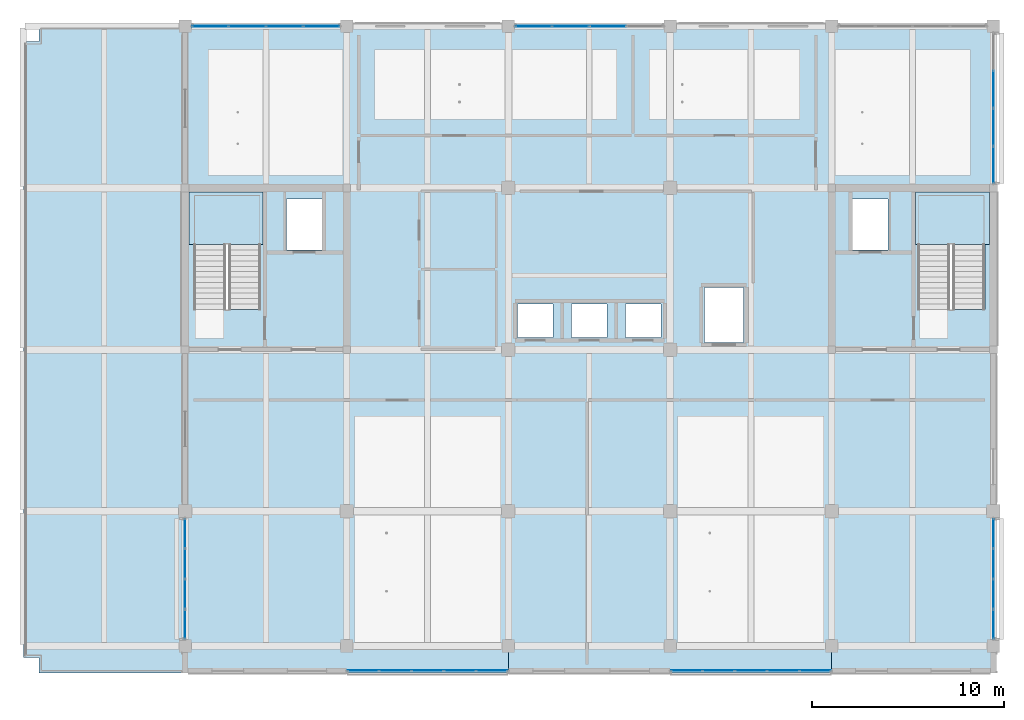
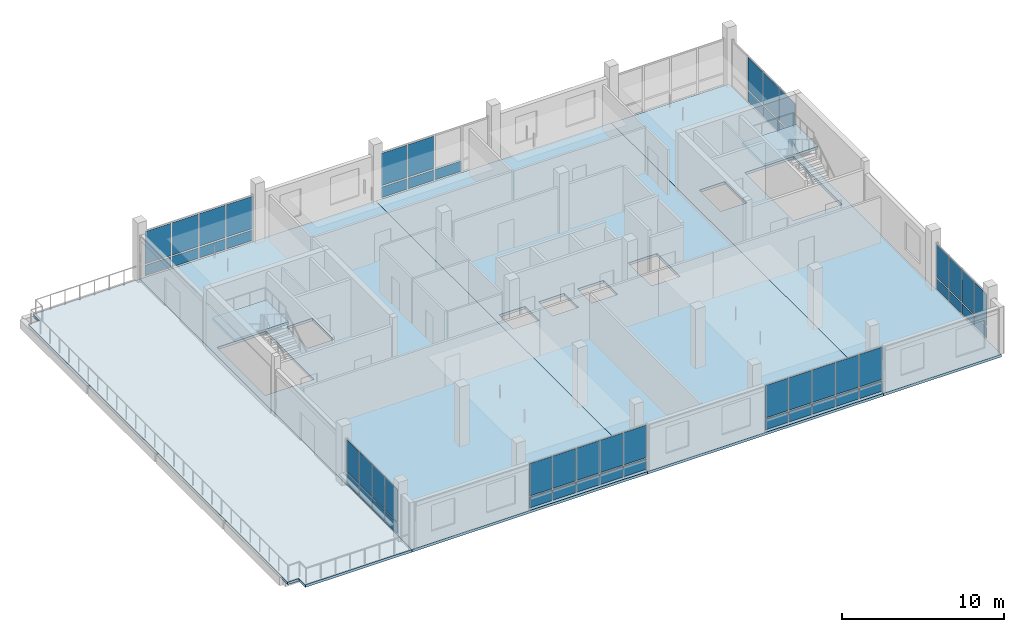
# One storey, part 8 of 28: 55 plates, 6 slabs, 9 elements without a shape of their own.
"""IFC4 building model written with IfcOpenShell, lengths in metres."""

from ifc_helpers import new_model, si_unit, direction, frame, origin, origin_2d, place, context, subcontext, project, spatial, polyline, rectangle, outline, extrude, material, layer, layer_set, type_object, element, aggregate, save


model = new_model("IFC4")

# Units and contexts
model_context = context("Model", 3, precision=1e-05, world=origin(), true_north=direction((0.0, 1.0)))
body_context = subcontext(model_context, "Body", "Model", "MODEL_VIEW")
ifc_project = project(units=[si_unit("LENGTHUNIT", "METRE"), si_unit("AREAUNIT", "SQUARE_METRE"), si_unit("VOLUMEUNIT", "CUBIC_METRE"), si_unit("PLANEANGLEUNIT", "RADIAN"), si_unit("MASSUNIT", "GRAM", prefix="KILO")], contexts=[model_context])

# Site, building, storey
site_placement = place(None, origin())
site = spatial("IfcSite", under=ifc_project, at=site_placement, CompositionType="ELEMENT")
building_placement = place(site_placement, origin())
building = spatial("IfcBuilding", under=site, at=building_placement, Name="Telukmera Botanical Conservatory", CompositionType="ELEMENT")
storey_placement = place(building_placement, frame((0.0, 0.0, 51.0)))
storey = spatial("IfcBuildingStorey", under=building, at=storey_placement, Name="L11", CompositionType="ELEMENT", Elevation=51.0)

# Stair, slab
ifc_material_1 = material(Name="Concrete C40/50", Category="concrete")
stair_type = type_object("IfcStairType", Name="ST-ESC-4500", PredefinedType="HALF_TURN_STAIR", material=ifc_material_1)
stair_1_placement = place(storey_placement, origin())
stair_1 = element("IfcStair", 1, at=stair_1_placement, inside=storey, type_object=stair_type, Name="L11 Protected Escape Stair ST1", PredefinedType="HALF_TURN_STAIR")
ifc_layer_1 = layer(ifc_material_1, 0.199951171875)
ifc_layer_set_1 = layer_set([ifc_layer_1], Name="Concrete C40/50")
slab_type_1 = type_object("IfcSlabType", Name="SL-LAND-200", PredefinedType="LANDING", material=ifc_layer_set_1)
slab_1_placement = place(storey_placement, frame((0.0, 0.0, 2.050048828125)))
slab_1 = element("IfcSlab", 2, at=slab_1_placement, type_object=slab_type_1, Name="ST1 landing 1", PredefinedType="LANDING", context=body_context, shape_type="SweptSolid", body=[
    extrude(outline(polyline([(59.0048828125, 31.449951171875), (62.844970703125, 31.449951171875), (62.844970703125, 34.195068359375), (59.0048828125, 34.195068359375), (59.0048828125, 31.449951171875)])), origin(), (0.0, 0.0, 1.0), 0.199951171875),
])
aggregate(stair_1, [slab_1])

stair_2_placement = place(storey_placement, origin())
stair_2 = element("IfcStair", 3, at=stair_2_placement, inside=storey, type_object=stair_type, Name="L11 Protected Escape Stair ST2", PredefinedType="HALF_TURN_STAIR")
slab_2_placement = place(storey_placement, frame((0.0, 0.0, 2.050048828125)))
slab_2 = element("IfcSlab", 4, at=slab_2_placement, type_object=slab_type_1, Name="ST2 landing 1", PredefinedType="LANDING", context=body_context, shape_type="SweptSolid", body=[
    extrude(outline(polyline([(96.7548828125, 31.449951171875), (100.594970703125, 31.449951171875), (100.594970703125, 34.195068359375), (96.7548828125, 34.195068359375), (96.7548828125, 31.449951171875)])), origin(), (0.0, 0.0, 1.0), 0.199951171875),
])
aggregate(stair_2, [slab_2])

# Slabs
ifc_layer_2 = layer(ifc_material_1, 0.199951171875)
ifc_layer_set_2 = layer_set([ifc_layer_2], Name="Concrete C40/50")
slab_type_2 = type_object("IfcSlabType", Name="Slab_FS20", PredefinedType="FLOOR", material=ifc_layer_set_2)
slab_3_placement = place(storey_placement, frame((0.0, 0.0, -0.199951171875)))
element("IfcSlab", 5, at=slab_3_placement, inside=storey, type_object=slab_type_2, Name="Tower Floor Slab L11 (WEST)", PredefinedType="FLOOR", context=body_context, shape_type="SweptSolid", body=[
    extrude(outline(polyline([(58.800048828125, 9.199951171875), (75.60009765625, 9.199951171875), (75.60009765625, 42.800048828125), (58.800048828125, 42.800048828125), (58.800048828125, 9.199951171875)]), holes=[polyline([(62.72998046875, 28.093017578125), (62.72998046875, 34.050048828125), (59.25, 34.050048828125), (59.25, 28.093017578125), (62.72998046875, 28.093017578125)]), polyline([(64.080078125, 31.179931640625), (65.919921875, 31.179931640625), (65.919921875, 33.820068359375), (64.080078125, 33.820068359375), (64.080078125, 31.179931640625)])]), origin(), (0.0, 0.0, 1.0), 0.199951171875),
])
slab_4_placement = place(storey_placement, frame((0.0, 0.0, -0.199951171875)))
element("IfcSlab", 6, at=slab_4_placement, inside=storey, type_object=slab_type_2, Name="Tower Floor Slab L11 (CENT)", PredefinedType="FLOOR", context=body_context, shape_type="SweptSolid", body=[
    extrude(outline(polyline([(75.60009765625, 9.199951171875), (92.39990234375, 9.199951171875), (92.39990234375, 42.800048828125), (75.60009765625, 42.800048828125), (75.60009765625, 9.199951171875)]), holes=[polyline([(85.780029296875, 26.3798828125), (87.820068359375, 26.3798828125), (87.820068359375, 29.219970703125), (85.780029296875, 29.219970703125), (85.780029296875, 26.3798828125)]), polyline([(76.080078125, 26.6298828125), (77.919921875, 26.6298828125), (77.919921875, 28.3701171875), (76.080078125, 28.3701171875), (76.080078125, 26.6298828125)]), polyline([(78.8798828125, 26.6298828125), (80.719970703125, 26.6298828125), (80.719970703125, 28.3701171875), (78.8798828125, 28.3701171875), (78.8798828125, 26.6298828125)]), polyline([(81.679931640625, 26.6298828125), (83.52001953125, 26.6298828125), (83.52001953125, 28.3701171875), (81.679931640625, 28.3701171875), (81.679931640625, 26.6298828125)])]), origin(), (0.0, 0.0, 1.0), 0.199951171875),
])
slab_5_placement = place(storey_placement, frame((0.0, 0.0, -0.199951171875)))
element("IfcSlab", 7, at=slab_5_placement, inside=storey, type_object=slab_type_2, Name="Tower Floor Slab L11 (EAST)", PredefinedType="FLOOR", context=body_context, shape_type="SweptSolid", body=[
    extrude(outline(polyline([(92.39990234375, 9.199951171875), (100.800048828125, 9.199951171875), (100.800048828125, 42.800048828125), (92.39990234375, 42.800048828125), (92.39990234375, 9.199951171875)]), holes=[polyline([(100.35009765625, 28.093017578125), (100.35009765625, 34.050048828125), (96.8701171875, 34.050048828125), (96.8701171875, 28.093017578125), (100.35009765625, 28.093017578125)]), polyline([(93.47998046875, 31.179931640625), (95.320068359375, 31.179931640625), (95.320068359375, 33.820068359375), (93.47998046875, 33.820068359375), (93.47998046875, 31.179931640625)])]), origin(), (0.0, 0.0, 1.0), 0.199951171875),
])
ifc_layer_3 = layer(ifc_material_1, 0.199951171875)
ifc_layer_set_3 = layer_set([ifc_layer_3], Name="Concrete C40/50")
slab_type_3 = type_object("IfcSlabType", Name="Slab_TS20", PredefinedType="FLOOR", material=ifc_layer_set_3)
slab_6_placement = place(storey_placement, frame((0.0, 0.0, -0.199951171875)))
element("IfcSlab", 8, at=slab_6_placement, inside=storey, type_object=slab_type_3, Name="Tower Botanical Sky Terrace Slab L11", PredefinedType="FLOOR", context=body_context, shape_type="SweptSolid", body=[
    extrude(outline(polyline([(51.199951171875, 9.199951171875), (58.800048828125, 9.199951171875), (58.800048828125, 42.800048828125), (51.199951171875, 42.800048828125), (51.199951171875, 42.0), (50.39990234375, 42.0), (50.39990234375, 10.0), (51.199951171875, 10.0), (51.199951171875, 9.199951171875)])), origin(), (0.0, 0.0, 1.0), 0.199951171875),
])

# Curtain wall, plates
ifc_material_2 = material(Name="Anodised aluminium 6063-T6", Category="aluminium")
ifc_layer_4 = layer(ifc_material_2, 0.179931640625)
ifc_layer_set_4 = layer_set([ifc_layer_4], Name="Anodised aluminium 6063-T6")
curtain_wall_type = type_object("IfcCurtainWallType", Name="Tower Research Laboratory Unitised Curtain Wall", PredefinedType="USERDEFINED", material=ifc_layer_set_4)
curtain_wall_1_placement = place(storey_placement, origin())
curtain_wall_1 = element("IfcCurtainWall", 9, at=curtain_wall_1_placement, inside=storey, type_object=curtain_wall_type, Name="Unitised Curtain Wall CW15 V4:L11:S2", ObjectType="UNITISED CURTAIN WALL", PredefinedType="USERDEFINED")
ifc_material_3 = material(Name="Spectrally selective low-E double glazing", Category="glass")
ifc_layer_5 = layer(ifc_material_3, 0.028076171875)
ifc_layer_set_5 = layer_set([ifc_layer_5], Name="Spectrally selective low-E double glazing")
plate_type = type_object("IfcPlateType", Name="Spectrally Selective Vision Double Glazing Panel 28", PredefinedType="CURTAIN_PANEL", material=ifc_layer_set_5)
plate_1_placement = place(storey_placement, frame((68.056640625, 9.320068359375, 0.10986328125), z_axis=(0.0, 0.0, 1.0), x_axis=(1.0, 0.0, 0.0)))
plate_1 = element("IfcPlate", 10, at=plate_1_placement, type_object=plate_type, Name="CW15 panel 1.1", PredefinedType="CURTAIN_PANEL", context=body_context, shape_type="SweptSolid", body=[
    extrude(rectangle(XDim=1.589111328125, YDim=0.028076171875, at=origin_2d()), origin(), (0.0, 0.0, 1.0), 0.784912109375),
])
plate_2_placement = place(storey_placement, frame((68.056640625, 9.320068359375, 1.0048828125), z_axis=(0.0, 0.0, 1.0), x_axis=(1.0, 0.0, 0.0)))
plate_2 = element("IfcPlate", 11, at=plate_2_placement, type_object=plate_type, Name="CW15 panel 1.2", PredefinedType="CURTAIN_PANEL", context=body_context, shape_type="SweptSolid", body=[
    extrude(rectangle(XDim=1.589111328125, YDim=0.028076171875, at=origin_2d()), origin(), (0.0, 0.0, 1.0), 2.43505859375),
])
plate_3_placement = place(storey_placement, frame((69.720703125, 9.320068359375, 0.10986328125), z_axis=(0.0, 0.0, 1.0), x_axis=(1.0, 0.0, 0.0)))
plate_3 = element("IfcPlate", 12, at=plate_3_placement, type_object=plate_type, Name="CW15 panel 2.1", PredefinedType="CURTAIN_PANEL", context=body_context, shape_type="SweptSolid", body=[
    extrude(rectangle(XDim=1.619140625, YDim=0.028076171875, at=origin_2d()), origin(), (0.0, 0.0, 1.0), 0.784912109375),
])
plate_4_placement = place(storey_placement, frame((69.720703125, 9.320068359375, 1.0048828125), z_axis=(0.0, 0.0, 1.0), x_axis=(1.0, 0.0, 0.0)))
plate_4 = element("IfcPlate", 13, at=plate_4_placement, type_object=plate_type, Name="CW15 panel 2.2", PredefinedType="CURTAIN_PANEL", context=body_context, shape_type="SweptSolid", body=[
    extrude(rectangle(XDim=1.619140625, YDim=0.028076171875, at=origin_2d()), origin(), (0.0, 0.0, 1.0), 2.43505859375),
])
plate_5_placement = place(storey_placement, frame((71.39990234375, 9.320068359375, 0.10986328125), z_axis=(0.0, 0.0, 1.0), x_axis=(1.0, 0.0, 0.0)))
plate_5 = element("IfcPlate", 14, at=plate_5_placement, type_object=plate_type, Name="CW15 panel 3.1", PredefinedType="CURTAIN_PANEL", context=body_context, shape_type="SweptSolid", body=[
    extrude(rectangle(XDim=1.619140625, YDim=0.028076171875, at=origin_2d()), origin(), (0.0, 0.0, 1.0), 0.784912109375),
])
plate_6_placement = place(storey_placement, frame((71.39990234375, 9.320068359375, 1.0048828125), z_axis=(0.0, 0.0, 1.0), x_axis=(1.0, 0.0, 0.0)))
plate_6 = element("IfcPlate", 15, at=plate_6_placement, type_object=plate_type, Name="CW15 panel 3.2", PredefinedType="CURTAIN_PANEL", context=body_context, shape_type="SweptSolid", body=[
    extrude(rectangle(XDim=1.619140625, YDim=0.028076171875, at=origin_2d()), origin(), (0.0, 0.0, 1.0), 2.43505859375),
])
plate_7_placement = place(storey_placement, frame((73.0791015625, 9.320068359375, 0.10986328125), z_axis=(0.0, 0.0, 1.0), x_axis=(1.0, 0.0, 0.0)))
plate_7 = element("IfcPlate", 16, at=plate_7_placement, type_object=plate_type, Name="CW15 panel 4.1", PredefinedType="CURTAIN_PANEL", context=body_context, shape_type="SweptSolid", body=[
    extrude(rectangle(XDim=1.619140625, YDim=0.028076171875, at=origin_2d()), origin(), (0.0, 0.0, 1.0), 0.784912109375),
])
plate_8_placement = place(storey_placement, frame((73.0791015625, 9.320068359375, 1.0048828125), z_axis=(0.0, 0.0, 1.0), x_axis=(1.0, 0.0, 0.0)))
plate_8 = element("IfcPlate", 17, at=plate_8_placement, type_object=plate_type, Name="CW15 panel 4.2", PredefinedType="CURTAIN_PANEL", context=body_context, shape_type="SweptSolid", body=[
    extrude(rectangle(XDim=1.619140625, YDim=0.028076171875, at=origin_2d()), origin(), (0.0, 0.0, 1.0), 2.43505859375),
])
plate_9_placement = place(storey_placement, frame((74.743408203125, 9.320068359375, 0.10986328125), z_axis=(0.0, 0.0, 1.0), x_axis=(1.0, 0.0, 0.0)))
plate_9 = element("IfcPlate", 18, at=plate_9_placement, type_object=plate_type, Name="CW15 panel 5.1", PredefinedType="CURTAIN_PANEL", context=body_context, shape_type="SweptSolid", body=[
    extrude(rectangle(XDim=1.589111328125, YDim=0.028076171875, at=origin_2d()), origin(), (0.0, 0.0, 1.0), 0.784912109375),
])
plate_10_placement = place(storey_placement, frame((74.743408203125, 9.320068359375, 1.0048828125), z_axis=(0.0, 0.0, 1.0), x_axis=(1.0, 0.0, 0.0)))
plate_10 = element("IfcPlate", 19, at=plate_10_placement, type_object=plate_type, Name="CW15 panel 5.2", PredefinedType="CURTAIN_PANEL", context=body_context, shape_type="SweptSolid", body=[
    extrude(rectangle(XDim=1.589111328125, YDim=0.028076171875, at=origin_2d()), origin(), (0.0, 0.0, 1.0), 2.43505859375),
])
aggregate(curtain_wall_1, [plate_1, plate_2, plate_3, plate_4, plate_5, plate_6, plate_7, plate_8, plate_9, plate_10])

curtain_wall_2_placement = place(storey_placement, origin())
curtain_wall_2 = element("IfcCurtainWall", 20, at=curtain_wall_2_placement, inside=storey, type_object=curtain_wall_type, Name="Unitised Curtain Wall CW15 V4:L11:S4", ObjectType="UNITISED CURTAIN WALL", PredefinedType="USERDEFINED")
plate_11_placement = place(storey_placement, frame((84.856689453125, 9.320068359375, 0.10986328125), z_axis=(0.0, 0.0, 1.0), x_axis=(1.0, 0.0, 0.0)))
plate_11 = element("IfcPlate", 21, at=plate_11_placement, type_object=plate_type, Name="CW15 panel 1.1", PredefinedType="CURTAIN_PANEL", context=body_context, shape_type="SweptSolid", body=[
    extrude(rectangle(XDim=1.589111328125, YDim=0.028076171875, at=origin_2d()), origin(), (0.0, 0.0, 1.0), 0.784912109375),
])
plate_12_placement = place(storey_placement, frame((84.856689453125, 9.320068359375, 1.0048828125), z_axis=(0.0, 0.0, 1.0), x_axis=(1.0, 0.0, 0.0)))
plate_12 = element("IfcPlate", 22, at=plate_12_placement, type_object=plate_type, Name="CW15 panel 1.2", PredefinedType="CURTAIN_PANEL", context=body_context, shape_type="SweptSolid", body=[
    extrude(rectangle(XDim=1.589111328125, YDim=0.028076171875, at=origin_2d()), origin(), (0.0, 0.0, 1.0), 2.43505859375),
])
plate_13_placement = place(storey_placement, frame((86.520751953125, 9.320068359375, 0.10986328125), z_axis=(0.0, 0.0, 1.0), x_axis=(1.0, 0.0, 0.0)))
plate_13 = element("IfcPlate", 23, at=plate_13_placement, type_object=plate_type, Name="CW15 panel 2.1", PredefinedType="CURTAIN_PANEL", context=body_context, shape_type="SweptSolid", body=[
    extrude(rectangle(XDim=1.619140625, YDim=0.028076171875, at=origin_2d()), origin(), (0.0, 0.0, 1.0), 0.784912109375),
])
plate_14_placement = place(storey_placement, frame((86.520751953125, 9.320068359375, 1.0048828125), z_axis=(0.0, 0.0, 1.0), x_axis=(1.0, 0.0, 0.0)))
plate_14 = element("IfcPlate", 24, at=plate_14_placement, type_object=plate_type, Name="CW15 panel 2.2", PredefinedType="CURTAIN_PANEL", context=body_context, shape_type="SweptSolid", body=[
    extrude(rectangle(XDim=1.619140625, YDim=0.028076171875, at=origin_2d()), origin(), (0.0, 0.0, 1.0), 2.43505859375),
])
plate_15_placement = place(storey_placement, frame((88.199951171875, 9.320068359375, 0.10986328125), z_axis=(0.0, 0.0, 1.0), x_axis=(1.0, 0.0, 0.0)))
plate_15 = element("IfcPlate", 25, at=plate_15_placement, type_object=plate_type, Name="CW15 panel 3.1", PredefinedType="CURTAIN_PANEL", context=body_context, shape_type="SweptSolid", body=[
    extrude(rectangle(XDim=1.619140625, YDim=0.028076171875, at=origin_2d()), origin(), (0.0, 0.0, 1.0), 0.784912109375),
])
plate_16_placement = place(storey_placement, frame((88.199951171875, 9.320068359375, 1.0048828125), z_axis=(0.0, 0.0, 1.0), x_axis=(1.0, 0.0, 0.0)))
plate_16 = element("IfcPlate", 26, at=plate_16_placement, type_object=plate_type, Name="CW15 panel 3.2", PredefinedType="CURTAIN_PANEL", context=body_context, shape_type="SweptSolid", body=[
    extrude(rectangle(XDim=1.619140625, YDim=0.028076171875, at=origin_2d()), origin(), (0.0, 0.0, 1.0), 2.43505859375),
])
plate_17_placement = place(storey_placement, frame((89.879150390625, 9.320068359375, 0.10986328125), z_axis=(0.0, 0.0, 1.0), x_axis=(1.0, 0.0, 0.0)))
plate_17 = element("IfcPlate", 27, at=plate_17_placement, type_object=plate_type, Name="CW15 panel 4.1", PredefinedType="CURTAIN_PANEL", context=body_context, shape_type="SweptSolid", body=[
    extrude(rectangle(XDim=1.619140625, YDim=0.028076171875, at=origin_2d()), origin(), (0.0, 0.0, 1.0), 0.784912109375),
])
plate_18_placement = place(storey_placement, frame((89.879150390625, 9.320068359375, 1.0048828125), z_axis=(0.0, 0.0, 1.0), x_axis=(1.0, 0.0, 0.0)))
plate_18 = element("IfcPlate", 28, at=plate_18_placement, type_object=plate_type, Name="CW15 panel 4.2", PredefinedType="CURTAIN_PANEL", context=body_context, shape_type="SweptSolid", body=[
    extrude(rectangle(XDim=1.619140625, YDim=0.028076171875, at=origin_2d()), origin(), (0.0, 0.0, 1.0), 2.43505859375),
])
plate_19_placement = place(storey_placement, frame((91.54345703125, 9.320068359375, 0.10986328125), z_axis=(0.0, 0.0, 1.0), x_axis=(1.0, 0.0, 0.0)))
plate_19 = element("IfcPlate", 29, at=plate_19_placement, type_object=plate_type, Name="CW15 panel 5.1", PredefinedType="CURTAIN_PANEL", context=body_context, shape_type="SweptSolid", body=[
    extrude(rectangle(XDim=1.589111328125, YDim=0.028076171875, at=origin_2d()), origin(), (0.0, 0.0, 1.0), 0.784912109375),
])
plate_20_placement = place(storey_placement, frame((91.54345703125, 9.320068359375, 1.0048828125), z_axis=(0.0, 0.0, 1.0), x_axis=(1.0, 0.0, 0.0)))
plate_20 = element("IfcPlate", 30, at=plate_20_placement, type_object=plate_type, Name="CW15 panel 5.2", PredefinedType="CURTAIN_PANEL", context=body_context, shape_type="SweptSolid", body=[
    extrude(rectangle(XDim=1.589111328125, YDim=0.028076171875, at=origin_2d()), origin(), (0.0, 0.0, 1.0), 2.43505859375),
])
aggregate(curtain_wall_2, [plate_11, plate_12, plate_13, plate_14, plate_15, plate_16, plate_17, plate_18, plate_19, plate_20])

curtain_wall_3_placement = place(storey_placement, origin())
curtain_wall_3 = element("IfcCurtainWall", 31, at=curtain_wall_3_placement, inside=storey, type_object=curtain_wall_type, Name="Unitised Curtain Wall CW15 V4:L11:N1", ObjectType="UNITISED CURTAIN WALL", PredefinedType="USERDEFINED")
plate_21_placement = place(storey_placement, frame((60.1103515625, 42.800048828125, 0.10986328125), z_axis=(0.0, 0.0, 1.0), x_axis=(1.0, 0.0, 0.0)))
plate_21 = element("IfcPlate", 32, at=plate_21_placement, type_object=plate_type, Name="CW15 panel 1.1", PredefinedType="CURTAIN_PANEL", context=body_context, shape_type="SweptSolid", body=[
    extrude(rectangle(XDim=1.846435546875, YDim=0.028076171875, at=origin_2d()), origin(), (0.0, 0.0, 1.0), 0.784912109375),
])
plate_22_placement = place(storey_placement, frame((60.1103515625, 42.800048828125, 1.0048828125), z_axis=(0.0, 0.0, 1.0), x_axis=(1.0, 0.0, 0.0)))
plate_22 = element("IfcPlate", 33, at=plate_22_placement, type_object=plate_type, Name="CW15 panel 1.2", PredefinedType="CURTAIN_PANEL", context=body_context, shape_type="SweptSolid", body=[
    extrude(rectangle(XDim=1.846435546875, YDim=0.028076171875, at=origin_2d()), origin(), (0.0, 0.0, 1.0), 2.43505859375),
])
plate_23_placement = place(storey_placement, frame((62.03173828125, 42.800048828125, 0.10986328125), z_axis=(0.0, 0.0, 1.0), x_axis=(1.0, 0.0, 0.0)))
plate_23 = element("IfcPlate", 34, at=plate_23_placement, type_object=plate_type, Name="CW15 panel 2.1", PredefinedType="CURTAIN_PANEL", context=body_context, shape_type="SweptSolid", body=[
    extrude(rectangle(XDim=1.87646484375, YDim=0.028076171875, at=origin_2d()), origin(), (0.0, 0.0, 1.0), 0.784912109375),
])
plate_24_placement = place(storey_placement, frame((62.03173828125, 42.800048828125, 1.0048828125), z_axis=(0.0, 0.0, 1.0), x_axis=(1.0, 0.0, 0.0)))
plate_24 = element("IfcPlate", 35, at=plate_24_placement, type_object=plate_type, Name="CW15 panel 2.2", PredefinedType="CURTAIN_PANEL", context=body_context, shape_type="SweptSolid", body=[
    extrude(rectangle(XDim=1.87646484375, YDim=0.028076171875, at=origin_2d()), origin(), (0.0, 0.0, 1.0), 2.43505859375),
])
plate_25_placement = place(storey_placement, frame((63.96826171875, 42.800048828125, 0.10986328125), z_axis=(0.0, 0.0, 1.0), x_axis=(1.0, 0.0, 0.0)))
plate_25 = element("IfcPlate", 36, at=plate_25_placement, type_object=plate_type, Name="CW15 panel 3.1", PredefinedType="CURTAIN_PANEL", context=body_context, shape_type="SweptSolid", body=[
    extrude(rectangle(XDim=1.87646484375, YDim=0.028076171875, at=origin_2d()), origin(), (0.0, 0.0, 1.0), 0.784912109375),
])
plate_26_placement = place(storey_placement, frame((63.96826171875, 42.800048828125, 1.0048828125), z_axis=(0.0, 0.0, 1.0), x_axis=(1.0, 0.0, 0.0)))
plate_26 = element("IfcPlate", 37, at=plate_26_placement, type_object=plate_type, Name="CW15 panel 3.2", PredefinedType="CURTAIN_PANEL", context=body_context, shape_type="SweptSolid", body=[
    extrude(rectangle(XDim=1.87646484375, YDim=0.028076171875, at=origin_2d()), origin(), (0.0, 0.0, 1.0), 2.43505859375),
])
plate_27_placement = place(storey_placement, frame((65.8896484375, 42.800048828125, 0.10986328125), z_axis=(0.0, 0.0, 1.0), x_axis=(1.0, 0.0, 0.0)))
plate_27 = element("IfcPlate", 38, at=plate_27_placement, type_object=plate_type, Name="CW15 panel 4.1", PredefinedType="CURTAIN_PANEL", context=body_context, shape_type="SweptSolid", body=[
    extrude(rectangle(XDim=1.846435546875, YDim=0.028076171875, at=origin_2d()), origin(), (0.0, 0.0, 1.0), 0.784912109375),
])
plate_28_placement = place(storey_placement, frame((65.8896484375, 42.800048828125, 1.0048828125), z_axis=(0.0, 0.0, 1.0), x_axis=(1.0, 0.0, 0.0)))
plate_28 = element("IfcPlate", 39, at=plate_28_placement, type_object=plate_type, Name="CW15 panel 4.2", PredefinedType="CURTAIN_PANEL", context=body_context, shape_type="SweptSolid", body=[
    extrude(rectangle(XDim=1.846435546875, YDim=0.028076171875, at=origin_2d()), origin(), (0.0, 0.0, 1.0), 2.43505859375),
])
aggregate(curtain_wall_3, [plate_21, plate_22, plate_23, plate_24, plate_25, plate_26, plate_27, plate_28])

curtain_wall_4_placement = place(storey_placement, origin())
curtain_wall_4 = element("IfcCurtainWall", 40, at=curtain_wall_4_placement, inside=storey, type_object=curtain_wall_type, Name="Unitised Curtain Wall CW15 V4:L11:N3", ObjectType="UNITISED CURTAIN WALL", PredefinedType="USERDEFINED")
plate_29_placement = place(storey_placement, frame((76.91015625, 42.800048828125, 0.10986328125), z_axis=(0.0, 0.0, 1.0), x_axis=(1.0, 0.0, 0.0)))
plate_29 = element("IfcPlate", 41, at=plate_29_placement, type_object=plate_type, Name="CW15 panel 1.1", PredefinedType="CURTAIN_PANEL", context=body_context, shape_type="SweptSolid", body=[
    extrude(rectangle(XDim=1.846435546875, YDim=0.028076171875, at=origin_2d()), origin(), (0.0, 0.0, 1.0), 0.784912109375),
])
plate_30_placement = place(storey_placement, frame((76.91015625, 42.800048828125, 1.0048828125), z_axis=(0.0, 0.0, 1.0), x_axis=(1.0, 0.0, 0.0)))
plate_30 = element("IfcPlate", 42, at=plate_30_placement, type_object=plate_type, Name="CW15 panel 1.2", PredefinedType="CURTAIN_PANEL", context=body_context, shape_type="SweptSolid", body=[
    extrude(rectangle(XDim=1.846435546875, YDim=0.028076171875, at=origin_2d()), origin(), (0.0, 0.0, 1.0), 2.43505859375),
])
plate_31_placement = place(storey_placement, frame((78.831787109375, 42.800048828125, 0.10986328125), z_axis=(0.0, 0.0, 1.0), x_axis=(1.0, 0.0, 0.0)))
plate_31 = element("IfcPlate", 43, at=plate_31_placement, type_object=plate_type, Name="CW15 panel 2.1", PredefinedType="CURTAIN_PANEL", context=body_context, shape_type="SweptSolid", body=[
    extrude(rectangle(XDim=1.87646484375, YDim=0.028076171875, at=origin_2d()), origin(), (0.0, 0.0, 1.0), 0.784912109375),
])
plate_32_placement = place(storey_placement, frame((78.831787109375, 42.800048828125, 1.0048828125), z_axis=(0.0, 0.0, 1.0), x_axis=(1.0, 0.0, 0.0)))
plate_32 = element("IfcPlate", 44, at=plate_32_placement, type_object=plate_type, Name="CW15 panel 2.2", PredefinedType="CURTAIN_PANEL", context=body_context, shape_type="SweptSolid", body=[
    extrude(rectangle(XDim=1.87646484375, YDim=0.028076171875, at=origin_2d()), origin(), (0.0, 0.0, 1.0), 2.43505859375),
])
plate_33_placement = place(storey_placement, frame((80.768310546875, 42.800048828125, 0.10986328125), z_axis=(0.0, 0.0, 1.0), x_axis=(1.0, 0.0, 0.0)))
plate_33 = element("IfcPlate", 45, at=plate_33_placement, type_object=plate_type, Name="CW15 panel 3.1", PredefinedType="CURTAIN_PANEL", context=body_context, shape_type="SweptSolid", body=[
    extrude(rectangle(XDim=1.87646484375, YDim=0.028076171875, at=origin_2d()), origin(), (0.0, 0.0, 1.0), 0.784912109375),
])
aggregate(curtain_wall_4, [plate_29, plate_30, plate_31, plate_32, plate_33])

curtain_wall_5_placement = place(storey_placement, origin())
curtain_wall_5 = element("IfcCurtainWall", 46, at=curtain_wall_5_placement, inside=storey, type_object=curtain_wall_type, Name="Unitised Curtain Wall CW15 V4:L11:W1", ObjectType="UNITISED CURTAIN WALL", PredefinedType="USERDEFINED")
plate_34_placement = place(storey_placement, frame((58.800048828125, 11.732177734375, 0.10986328125), z_axis=(0.0, 0.0, 1.0), x_axis=(0.0, 1.0, 0.0)))
plate_34 = element("IfcPlate", 47, at=plate_34_placement, type_object=plate_type, Name="CW15 panel 1.1", PredefinedType="CURTAIN_PANEL", context=body_context, shape_type="SweptSolid", body=[
    extrude(rectangle(XDim=1.490234375, YDim=0.028076171875, at=origin_2d()), origin(), (0.0, 0.0, 1.0), 0.784912109375),
])
plate_35_placement = place(storey_placement, frame((58.800048828125, 11.732177734375, 1.0048828125), z_axis=(0.0, 0.0, 1.0), x_axis=(0.0, 1.0, 0.0)))
plate_35 = element("IfcPlate", 48, at=plate_35_placement, type_object=plate_type, Name="CW15 panel 1.2", PredefinedType="CURTAIN_PANEL", context=body_context, shape_type="SweptSolid", body=[
    extrude(rectangle(XDim=1.490234375, YDim=0.028076171875, at=origin_2d()), origin(), (0.0, 0.0, 1.0), 2.43505859375),
])
plate_36_placement = place(storey_placement, frame((58.800048828125, 13.29736328125, 0.10986328125), z_axis=(0.0, 0.0, 1.0), x_axis=(0.0, 1.0, 0.0)))
plate_36 = element("IfcPlate", 49, at=plate_36_placement, type_object=plate_type, Name="CW15 panel 2.1", PredefinedType="CURTAIN_PANEL", context=body_context, shape_type="SweptSolid", body=[
    extrude(rectangle(XDim=1.520263671875, YDim=0.028076171875, at=origin_2d()), origin(), (0.0, 0.0, 1.0), 0.784912109375),
])
plate_37_placement = place(storey_placement, frame((58.800048828125, 13.29736328125, 1.0048828125), z_axis=(0.0, 0.0, 1.0), x_axis=(0.0, 1.0, 0.0)))
plate_37 = element("IfcPlate", 50, at=plate_37_placement, type_object=plate_type, Name="CW15 panel 2.2", PredefinedType="CURTAIN_PANEL", context=body_context, shape_type="SweptSolid", body=[
    extrude(rectangle(XDim=1.520263671875, YDim=0.028076171875, at=origin_2d()), origin(), (0.0, 0.0, 1.0), 2.43505859375),
])
plate_38_placement = place(storey_placement, frame((58.800048828125, 14.877685546875, 0.10986328125), z_axis=(0.0, 0.0, 1.0), x_axis=(0.0, 1.0, 0.0)))
plate_38 = element("IfcPlate", 51, at=plate_38_placement, type_object=plate_type, Name="CW15 panel 3.1", PredefinedType="CURTAIN_PANEL", context=body_context, shape_type="SweptSolid", body=[
    extrude(rectangle(XDim=1.520263671875, YDim=0.028076171875, at=origin_2d()), origin(), (0.0, 0.0, 1.0), 0.784912109375),
])
plate_39_placement = place(storey_placement, frame((58.800048828125, 14.877685546875, 1.0048828125), z_axis=(0.0, 0.0, 1.0), x_axis=(0.0, 1.0, 0.0)))
plate_39 = element("IfcPlate", 52, at=plate_39_placement, type_object=plate_type, Name="CW15 panel 3.2", PredefinedType="CURTAIN_PANEL", context=body_context, shape_type="SweptSolid", body=[
    extrude(rectangle(XDim=1.520263671875, YDim=0.028076171875, at=origin_2d()), origin(), (0.0, 0.0, 1.0), 2.43505859375),
])
plate_40_placement = place(storey_placement, frame((58.800048828125, 16.44287109375, 0.10986328125), z_axis=(0.0, 0.0, 1.0), x_axis=(0.0, 1.0, 0.0)))
plate_40 = element("IfcPlate", 53, at=plate_40_placement, type_object=plate_type, Name="CW15 panel 4.1", PredefinedType="CURTAIN_PANEL", context=body_context, shape_type="SweptSolid", body=[
    extrude(rectangle(XDim=1.490234375, YDim=0.028076171875, at=origin_2d()), origin(), (0.0, 0.0, 1.0), 0.784912109375),
])
plate_41_placement = place(storey_placement, frame((58.800048828125, 16.44287109375, 1.0048828125), z_axis=(0.0, 0.0, 1.0), x_axis=(0.0, 1.0, 0.0)))
plate_41 = element("IfcPlate", 54, at=plate_41_placement, type_object=plate_type, Name="CW15 panel 4.2", PredefinedType="CURTAIN_PANEL", context=body_context, shape_type="SweptSolid", body=[
    extrude(rectangle(XDim=1.490234375, YDim=0.028076171875, at=origin_2d()), origin(), (0.0, 0.0, 1.0), 2.43505859375),
])
aggregate(curtain_wall_5, [plate_34, plate_35, plate_36, plate_37, plate_38, plate_39, plate_40, plate_41])

curtain_wall_6_placement = place(storey_placement, origin())
curtain_wall_6 = element("IfcCurtainWall", 55, at=curtain_wall_6_placement, inside=storey, type_object=curtain_wall_type, Name="Unitised Curtain Wall CW15 V4:L11:E1", ObjectType="UNITISED CURTAIN WALL", PredefinedType="USERDEFINED")
plate_42_placement = place(storey_placement, frame((100.800048828125, 11.732177734375, 0.10986328125), z_axis=(0.0, 0.0, 1.0), x_axis=(0.0, 1.0, 0.0)))
plate_42 = element("IfcPlate", 56, at=plate_42_placement, type_object=plate_type, Name="CW15 panel 1.1", PredefinedType="CURTAIN_PANEL", context=body_context, shape_type="SweptSolid", body=[
    extrude(rectangle(XDim=1.490234375, YDim=0.028076171875, at=origin_2d()), origin(), (0.0, 0.0, 1.0), 0.784912109375),
])
plate_43_placement = place(storey_placement, frame((100.800048828125, 11.732177734375, 1.0048828125), z_axis=(0.0, 0.0, 1.0), x_axis=(0.0, 1.0, 0.0)))
plate_43 = element("IfcPlate", 57, at=plate_43_placement, type_object=plate_type, Name="CW15 panel 1.2", PredefinedType="CURTAIN_PANEL", context=body_context, shape_type="SweptSolid", body=[
    extrude(rectangle(XDim=1.490234375, YDim=0.028076171875, at=origin_2d()), origin(), (0.0, 0.0, 1.0), 2.43505859375),
])
plate_44_placement = place(storey_placement, frame((100.800048828125, 13.29736328125, 0.10986328125), z_axis=(0.0, 0.0, 1.0), x_axis=(0.0, 1.0, 0.0)))
plate_44 = element("IfcPlate", 58, at=plate_44_placement, type_object=plate_type, Name="CW15 panel 2.1", PredefinedType="CURTAIN_PANEL", context=body_context, shape_type="SweptSolid", body=[
    extrude(rectangle(XDim=1.520263671875, YDim=0.028076171875, at=origin_2d()), origin(), (0.0, 0.0, 1.0), 0.784912109375),
])
plate_45_placement = place(storey_placement, frame((100.800048828125, 13.29736328125, 1.0048828125), z_axis=(0.0, 0.0, 1.0), x_axis=(0.0, 1.0, 0.0)))
plate_45 = element("IfcPlate", 59, at=plate_45_placement, type_object=plate_type, Name="CW15 panel 2.2", PredefinedType="CURTAIN_PANEL", context=body_context, shape_type="SweptSolid", body=[
    extrude(rectangle(XDim=1.520263671875, YDim=0.028076171875, at=origin_2d()), origin(), (0.0, 0.0, 1.0), 2.43505859375),
])
plate_46_placement = place(storey_placement, frame((100.800048828125, 14.877685546875, 0.10986328125), z_axis=(0.0, 0.0, 1.0), x_axis=(0.0, 1.0, 0.0)))
plate_46 = element("IfcPlate", 60, at=plate_46_placement, type_object=plate_type, Name="CW15 panel 3.1", PredefinedType="CURTAIN_PANEL", context=body_context, shape_type="SweptSolid", body=[
    extrude(rectangle(XDim=1.520263671875, YDim=0.028076171875, at=origin_2d()), origin(), (0.0, 0.0, 1.0), 0.784912109375),
])
plate_47_placement = place(storey_placement, frame((100.800048828125, 14.877685546875, 1.0048828125), z_axis=(0.0, 0.0, 1.0), x_axis=(0.0, 1.0, 0.0)))
plate_47 = element("IfcPlate", 61, at=plate_47_placement, type_object=plate_type, Name="CW15 panel 3.2", PredefinedType="CURTAIN_PANEL", context=body_context, shape_type="SweptSolid", body=[
    extrude(rectangle(XDim=1.520263671875, YDim=0.028076171875, at=origin_2d()), origin(), (0.0, 0.0, 1.0), 2.43505859375),
])
plate_48_placement = place(storey_placement, frame((100.800048828125, 16.44287109375, 0.10986328125), z_axis=(0.0, 0.0, 1.0), x_axis=(0.0, 1.0, 0.0)))
plate_48 = element("IfcPlate", 62, at=plate_48_placement, type_object=plate_type, Name="CW15 panel 4.1", PredefinedType="CURTAIN_PANEL", context=body_context, shape_type="SweptSolid", body=[
    extrude(rectangle(XDim=1.490234375, YDim=0.028076171875, at=origin_2d()), origin(), (0.0, 0.0, 1.0), 0.784912109375),
])
plate_49_placement = place(storey_placement, frame((100.800048828125, 16.44287109375, 1.0048828125), z_axis=(0.0, 0.0, 1.0), x_axis=(0.0, 1.0, 0.0)))
plate_49 = element("IfcPlate", 63, at=plate_49_placement, type_object=plate_type, Name="CW15 panel 4.2", PredefinedType="CURTAIN_PANEL", context=body_context, shape_type="SweptSolid", body=[
    extrude(rectangle(XDim=1.490234375, YDim=0.028076171875, at=origin_2d()), origin(), (0.0, 0.0, 1.0), 2.43505859375),
])
aggregate(curtain_wall_6, [plate_42, plate_43, plate_44, plate_45, plate_46, plate_47, plate_48, plate_49])

curtain_wall_7_placement = place(storey_placement, origin())
curtain_wall_7 = element("IfcCurtainWall", 64, at=curtain_wall_7_placement, inside=storey, type_object=curtain_wall_type, Name="Unitised Curtain Wall CW15 V4:L11:E4", ObjectType="UNITISED CURTAIN WALL", PredefinedType="USERDEFINED")
plate_50_placement = place(storey_placement, frame((100.800048828125, 35.600830078125, 0.10986328125), z_axis=(0.0, 0.0, 1.0), x_axis=(0.0, 1.0, 0.0)))
plate_50 = element("IfcPlate", 65, at=plate_50_placement, type_object=plate_type, Name="CW15 panel 1.1", PredefinedType="CURTAIN_PANEL", context=body_context, shape_type="SweptSolid", body=[
    extrude(rectangle(XDim=1.877685546875, YDim=0.028076171875, at=origin_2d()), origin(), (0.0, 0.0, 1.0), 0.784912109375),
])
plate_51_placement = place(storey_placement, frame((100.800048828125, 35.600830078125, 1.0048828125), z_axis=(0.0, 0.0, 1.0), x_axis=(0.0, 1.0, 0.0)))
plate_51 = element("IfcPlate", 66, at=plate_51_placement, type_object=plate_type, Name="CW15 panel 1.2", PredefinedType="CURTAIN_PANEL", context=body_context, shape_type="SweptSolid", body=[
    extrude(rectangle(XDim=1.877685546875, YDim=0.028076171875, at=origin_2d()), origin(), (0.0, 0.0, 1.0), 2.43505859375),
])
plate_52_placement = place(storey_placement, frame((100.800048828125, 37.5537109375, 0.10986328125), z_axis=(0.0, 0.0, 1.0), x_axis=(0.0, 1.0, 0.0)))
plate_52 = element("IfcPlate", 67, at=plate_52_placement, type_object=plate_type, Name="CW15 panel 2.1", PredefinedType="CURTAIN_PANEL", context=body_context, shape_type="SweptSolid", body=[
    extrude(rectangle(XDim=1.90771484375, YDim=0.028076171875, at=origin_2d()), origin(), (0.0, 0.0, 1.0), 0.784912109375),
])
plate_53_placement = place(storey_placement, frame((100.800048828125, 37.5537109375, 1.0048828125), z_axis=(0.0, 0.0, 1.0), x_axis=(0.0, 1.0, 0.0)))
plate_53 = element("IfcPlate", 68, at=plate_53_placement, type_object=plate_type, Name="CW15 panel 2.2", PredefinedType="CURTAIN_PANEL", context=body_context, shape_type="SweptSolid", body=[
    extrude(rectangle(XDim=1.90771484375, YDim=0.028076171875, at=origin_2d()), origin(), (0.0, 0.0, 1.0), 2.43505859375),
])
plate_54_placement = place(storey_placement, frame((100.800048828125, 39.521484375, 0.10986328125), z_axis=(0.0, 0.0, 1.0), x_axis=(0.0, 1.0, 0.0)))
plate_54 = element("IfcPlate", 69, at=plate_54_placement, type_object=plate_type, Name="CW15 panel 3.1", PredefinedType="CURTAIN_PANEL", context=body_context, shape_type="SweptSolid", body=[
    extrude(rectangle(XDim=1.90771484375, YDim=0.028076171875, at=origin_2d()), origin(), (0.0, 0.0, 1.0), 0.784912109375),
])
plate_55_placement = place(storey_placement, frame((100.800048828125, 39.521484375, 1.0048828125), z_axis=(0.0, 0.0, 1.0), x_axis=(0.0, 1.0, 0.0)))
plate_55 = element("IfcPlate", 70, at=plate_55_placement, type_object=plate_type, Name="CW15 panel 3.2", PredefinedType="CURTAIN_PANEL", context=body_context, shape_type="SweptSolid", body=[
    extrude(rectangle(XDim=1.90771484375, YDim=0.028076171875, at=origin_2d()), origin(), (0.0, 0.0, 1.0), 2.43505859375),
])
aggregate(curtain_wall_7, [plate_50, plate_51, plate_52, plate_53, plate_54, plate_55])

save(model, "model.ifc")
